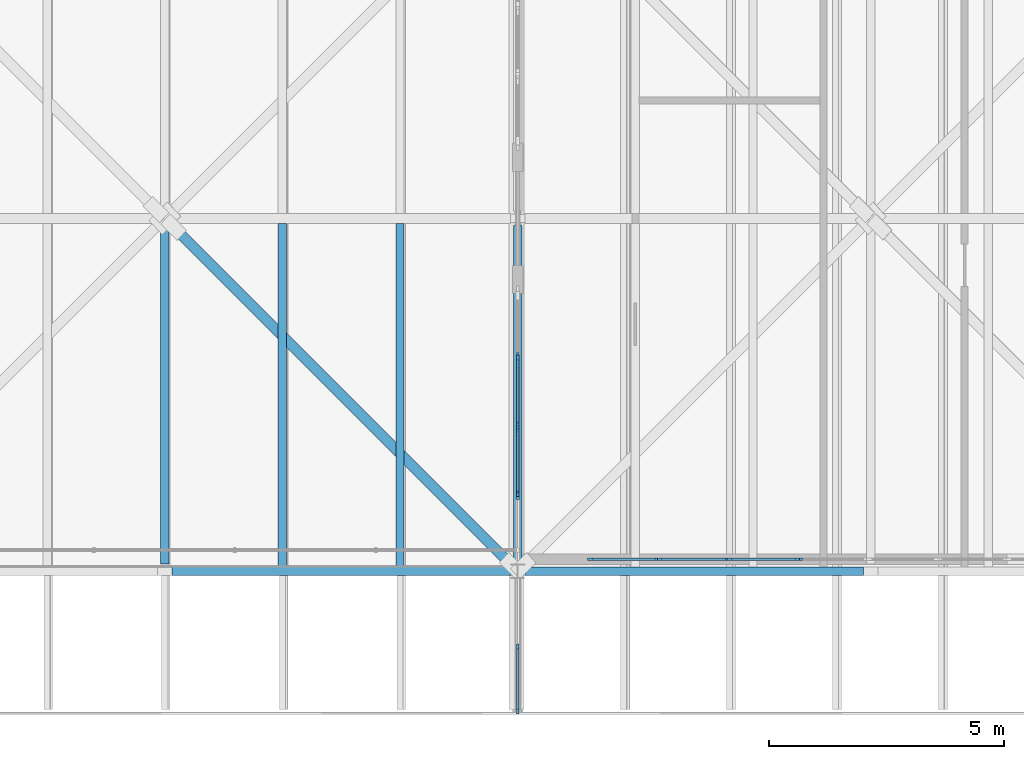
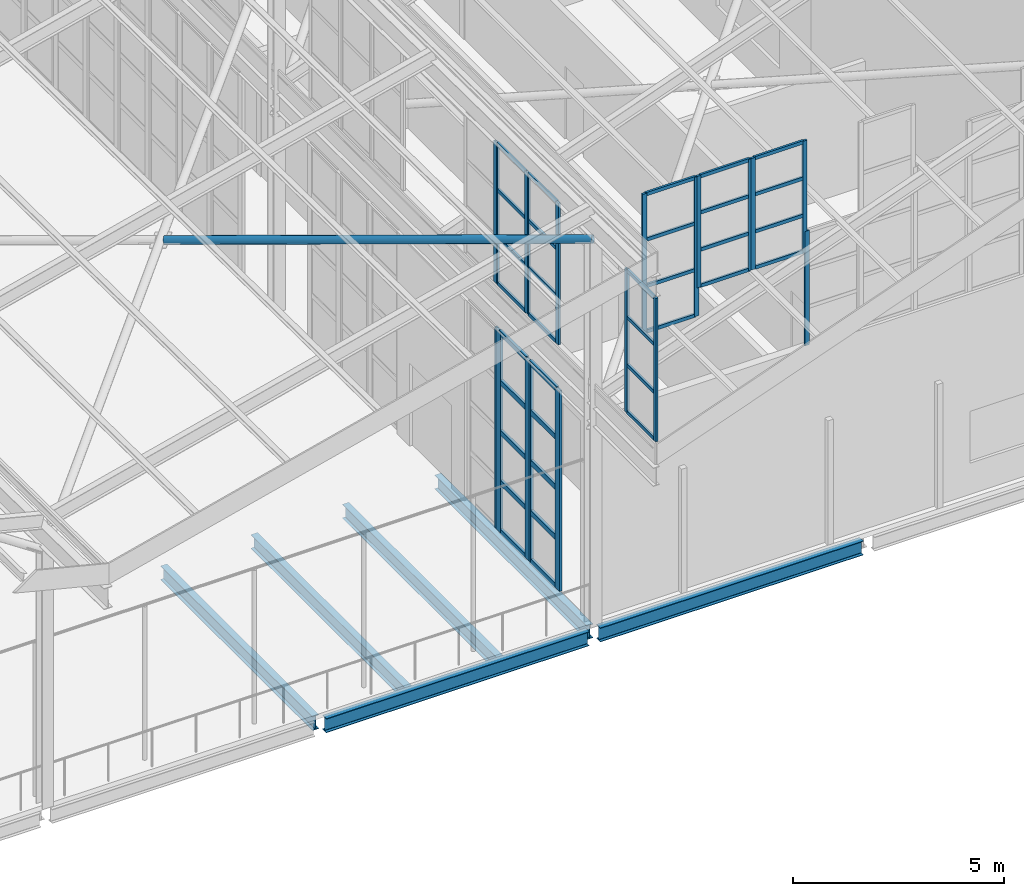
# One storey, part 28 of 483: 54 members, 6 beams, 11 elements without a shape of their own.
"""IFC4 building model written with IfcOpenShell, lengths in metres."""

from ifc_helpers import new_model, si_unit, direction, frame, origin, origin_2d, place, context, subcontext, project, spatial, rectangle, hollow_circle, i_section, extrude, material, material_profile, profile_set, type_object, element, aggregate, save


model = new_model("IFC4")

# Units and contexts
model_context = context("Model", 3, precision=1e-05, world=origin(), true_north=direction((0.0, 1.0)))
body_context = subcontext(model_context, "Body", "Model", "MODEL_VIEW")
ifc_project = project(units=[si_unit("LENGTHUNIT", "METRE"), si_unit("AREAUNIT", "SQUARE_METRE"), si_unit("VOLUMEUNIT", "CUBIC_METRE"), si_unit("PLANEANGLEUNIT", "RADIAN"), si_unit("MASSUNIT", "GRAM", prefix="KILO")], contexts=[model_context])

# Site, building, storey
site_placement = place(None, origin())
site = spatial("IfcSite", under=ifc_project, at=site_placement, CompositionType="ELEMENT")
building_placement = place(site_placement, origin())
building = spatial("IfcBuilding", under=site, at=building_placement, Name="Parallax Yard Mobility Hub", CompositionType="ELEMENT")
storey_placement = place(building_placement, frame((0.0, 0.0, 13.199951171875)))
storey = spatial("IfcBuildingStorey", under=building, at=storey_placement, Name="L04", CompositionType="ELEMENT", Elevation=13.199951171875)

# Curtain wall, members
ifc_material_1 = material(Name="Thermally broken aluminium curtain wall system", Category="aluminium")
curtain_wall_type_1 = type_object("IfcCurtainWallType", Name="Clerestory glazing run 60 x 120 frame", PredefinedType="NOTDEFINED", material=ifc_material_1)
curtain_wall_1_placement = place(storey_placement, origin())
curtain_wall_1 = element("IfcCurtainWall", 1, at=curtain_wall_1_placement, inside=storey, type_object=curtain_wall_type_1, Name="Clerestory glazing run Rooftop sports deck south bay 1 level L04", PredefinedType="NOTDEFINED")
ifc_material_2 = material(Name="Extruded aluminium", Category="aluminium")
ifc_material_profile_1 = material_profile(ifc_material_2, rectangle(XDim=0.06005859375, YDim=0.1201171875, at=origin_2d()), Name="Mullion 60 x 120")
ifc_profile_set_1 = profile_set([ifc_material_profile_1], Name="Extruded aluminium")
member_type_1 = type_object("IfcMemberType", Name="Mullion 60 x 120", PredefinedType="MULLION", material=ifc_profile_set_1)
member_1_placement = place(storey_placement, frame((129.04833984375, 7.754638671875, 7.702392578125), z_axis=(0.0, 0.0, 1.0), x_axis=(0.0, 1.0, 0.0)))
member_1 = element("IfcMember", 2, at=member_1_placement, type_object=member_type_1, Name="CW4 mullion 1", PredefinedType="MULLION", context=body_context, shape_type="SweptSolid", body=[
    extrude(rectangle(XDim=0.06005859375, YDim=0.1201171875, at=origin_2d()), origin(), (0.0, 0.0, 1.0), 4.036376953125),
])
member_2_placement = place(storey_placement, frame((130.46923828125, 7.754638671875, 7.702392578125), z_axis=(0.0, 0.0, 1.0), x_axis=(0.0, 1.0, 0.0)))
member_2 = element("IfcMember", 3, at=member_2_placement, type_object=member_type_1, Name="CW4 mullion 2", PredefinedType="MULLION", context=body_context, shape_type="SweptSolid", body=[
    extrude(rectangle(XDim=0.06005859375, YDim=0.1201171875, at=origin_2d()), origin(), (0.0, 0.0, 1.0), 4.036376953125),
])

curtain_wall_2_placement = place(storey_placement, origin())
curtain_wall_2 = element("IfcCurtainWall", 4, at=curtain_wall_2_placement, inside=storey, type_object=curtain_wall_type_1, Name="Clerestory glazing run Rooftop sports deck south bay 1 level L04", PredefinedType="NOTDEFINED")
member_3_placement = place(storey_placement, frame((130.529296875, 7.754638671875, 8.512451171875), z_axis=(0.0, 0.0, 1.0), x_axis=(0.0, 1.0, 0.0)))
member_3 = element("IfcMember", 5, at=member_3_placement, type_object=member_type_1, Name="CW4 mullion 1", PredefinedType="MULLION", context=body_context, shape_type="SweptSolid", body=[
    extrude(rectangle(XDim=0.06005859375, YDim=0.1201171875, at=origin_2d()), origin(), (0.0, 0.0, 1.0), 3.226318359375),
])
member_4_placement = place(storey_placement, frame((131.9501953125, 7.754638671875, 8.512451171875), z_axis=(0.0, 0.0, 1.0), x_axis=(0.0, 1.0, 0.0)))
member_4 = element("IfcMember", 6, at=member_4_placement, type_object=member_type_1, Name="CW4 mullion 2", PredefinedType="MULLION", context=body_context, shape_type="SweptSolid", body=[
    extrude(rectangle(XDim=0.06005859375, YDim=0.1201171875, at=origin_2d()), origin(), (0.0, 0.0, 1.0), 3.226318359375),
])

curtain_wall_3_placement = place(storey_placement, origin())
curtain_wall_3 = element("IfcCurtainWall", 7, at=curtain_wall_3_placement, inside=storey, type_object=curtain_wall_type_1, Name="Clerestory glazing run Rooftop sports deck south bay 1 level L04", PredefinedType="NOTDEFINED")
member_5_placement = place(storey_placement, frame((132.01025390625, 7.754638671875, 8.512451171875), z_axis=(0.0, 0.0, 1.0), x_axis=(0.0, 1.0, 0.0)))
member_5 = element("IfcMember", 8, at=member_5_placement, type_object=member_type_1, Name="CW4 mullion 1", PredefinedType="MULLION", context=body_context, shape_type="SweptSolid", body=[
    extrude(rectangle(XDim=0.06005859375, YDim=0.1201171875, at=origin_2d()), origin(), (0.0, 0.0, 1.0), 3.226318359375),
])
member_6_placement = place(storey_placement, frame((133.43115234375, 7.754638671875, 8.512451171875), z_axis=(0.0, 0.0, 1.0), x_axis=(0.0, 1.0, 0.0)))
member_6 = element("IfcMember", 9, at=member_6_placement, type_object=member_type_1, Name="CW4 mullion 2", PredefinedType="MULLION", context=body_context, shape_type="SweptSolid", body=[
    extrude(rectangle(XDim=0.06005859375, YDim=0.1201171875, at=origin_2d()), origin(), (0.0, 0.0, 1.0), 3.226318359375),
])

# Curtain wall, member
curtain_wall_4_placement = place(storey_placement, origin())
curtain_wall_4 = element("IfcCurtainWall", 10, at=curtain_wall_4_placement, inside=storey, type_object=curtain_wall_type_1, Name="Clerestory glazing run Rooftop sports deck south bay 1 level L04", PredefinedType="NOTDEFINED")
member_7_placement = place(storey_placement, frame((133.4912109375, 7.754638671875, 5.800048828125), z_axis=(0.0, 0.0, 1.0), x_axis=(0.0, 1.0, 0.0)))
member_7 = element("IfcMember", 11, at=member_7_placement, type_object=member_type_1, Name="CW4 mullion 1", PredefinedType="MULLION", context=body_context, shape_type="SweptSolid", body=[
    extrude(rectangle(XDim=0.06005859375, YDim=0.1201171875, at=origin_2d()), origin(), (0.0, 0.0, 1.0), 3.3154296875),
])
aggregate(curtain_wall_4, [member_7])

# Curtain wall, members
curtain_wall_5_placement = place(storey_placement, origin())
curtain_wall_5 = element("IfcCurtainWall", 12, at=curtain_wall_5_placement, inside=storey, type_object=curtain_wall_type_1, Name="Clerestory glazing run Rooftop sports deck roof step 1 bay 1 level L04", PredefinedType="NOTDEFINED")
member_8_placement = place(storey_placement, frame((127.5, 4.530029296875, 7.087890625), z_axis=(0.0, 0.0, 1.0), x_axis=(-1.0, 0.0, 0.0)))
member_8 = element("IfcMember", 13, at=member_8_placement, type_object=member_type_1, Name="CW4 mullion 1", PredefinedType="MULLION", context=body_context, shape_type="SweptSolid", body=[
    extrude(rectangle(XDim=0.06005859375, YDim=0.1201171875, at=origin_2d()), origin(), (0.0, 0.0, 1.0), 4.147216796875),
])
member_9_placement = place(storey_placement, frame((127.5, 5.893310546875, 7.087890625), z_axis=(0.0, 0.0, 1.0), x_axis=(-1.0, 0.0, 0.0)))
member_9 = element("IfcMember", 14, at=member_9_placement, type_object=member_type_1, Name="CW4 mullion 2", PredefinedType="MULLION", context=body_context, shape_type="SweptSolid", body=[
    extrude(rectangle(XDim=0.06005859375, YDim=0.1201171875, at=origin_2d()), origin(), (0.0, 0.0, 1.0), 4.147216796875),
])

curtain_wall_6_placement = place(storey_placement, origin())
curtain_wall_6 = element("IfcCurtainWall", 15, at=curtain_wall_6_placement, inside=storey, type_object=curtain_wall_type_1, Name="Clerestory glazing run Rooftop sports deck roof step 1 bay 2 level L04", PredefinedType="NOTDEFINED")
member_10_placement = place(storey_placement, frame((127.5, 9.15283203125, 7.087890625), z_axis=(0.0, 0.0, 1.0), x_axis=(-1.0, 0.0, 0.0)))
member_10 = element("IfcMember", 16, at=member_10_placement, type_object=member_type_1, Name="CW4 mullion 1", PredefinedType="MULLION", context=body_context, shape_type="SweptSolid", body=[
    extrude(rectangle(XDim=0.06005859375, YDim=0.1201171875, at=origin_2d()), origin(), (0.0, 0.0, 1.0), 4.10009765625),
])
member_11_placement = place(storey_placement, frame((127.5, 10.56201171875, 7.087890625), z_axis=(0.0, 0.0, 1.0), x_axis=(-1.0, 0.0, 0.0)))
member_11 = element("IfcMember", 17, at=member_11_placement, type_object=member_type_1, Name="CW4 mullion 2", PredefinedType="MULLION", context=body_context, shape_type="SweptSolid", body=[
    extrude(rectangle(XDim=0.06005859375, YDim=0.1201171875, at=origin_2d()), origin(), (0.0, 0.0, 1.0), 4.10009765625),
])

curtain_wall_7_placement = place(storey_placement, origin())
curtain_wall_7 = element("IfcCurtainWall", 18, at=curtain_wall_7_placement, inside=storey, type_object=curtain_wall_type_1, Name="Clerestory glazing run Rooftop sports deck roof step 1 bay 2 level L04", PredefinedType="NOTDEFINED")
member_12_placement = place(storey_placement, frame((127.5, 10.6220703125, 7.087890625), z_axis=(0.0, 0.0, 1.0), x_axis=(-1.0, 0.0, 0.0)))
member_12 = element("IfcMember", 19, at=member_12_placement, type_object=member_type_1, Name="CW4 mullion 1", PredefinedType="MULLION", context=body_context, shape_type="SweptSolid", body=[
    extrude(rectangle(XDim=0.06005859375, YDim=0.1201171875, at=origin_2d()), origin(), (0.0, 0.0, 1.0), 4.086181640625),
])
member_13_placement = place(storey_placement, frame((127.5, 12.031494140625, 7.087890625), z_axis=(0.0, 0.0, 1.0), x_axis=(-1.0, 0.0, 0.0)))
member_13 = element("IfcMember", 20, at=member_13_placement, type_object=member_type_1, Name="CW4 mullion 2", PredefinedType="MULLION", context=body_context, shape_type="SweptSolid", body=[
    extrude(rectangle(XDim=0.06005859375, YDim=0.1201171875, at=origin_2d()), origin(), (0.0, 0.0, 1.0), 4.086181640625),
])

# Curtain wall, member
curtain_wall_8_placement = place(storey_placement, origin())
curtain_wall_8 = element("IfcCurtainWall", 21, at=curtain_wall_8_placement, inside=storey, type_object=curtain_wall_type_1, Name="Clerestory glazing run Rooftop sports deck roof step 1 bay 2 level L04", PredefinedType="NOTDEFINED")
member_14_placement = place(storey_placement, frame((127.5, 12.09130859375, 7.087890625), z_axis=(0.0, 0.0, 1.0), x_axis=(-1.0, 0.0, 0.0)))
member_14 = element("IfcMember", 22, at=member_14_placement, type_object=member_type_1, Name="CW4 mullion 1", PredefinedType="MULLION", context=body_context, shape_type="SweptSolid", body=[
    extrude(rectangle(XDim=0.06005859375, YDim=0.1201171875, at=origin_2d()), origin(), (0.0, 0.0, 1.0), 4.071044921875),
])
aggregate(curtain_wall_8, [member_14])

# Curtain wall, members
curtain_wall_type_2 = type_object("IfcCurtainWallType", Name="Tall curtain wall run 75 x 200 frame", PredefinedType="NOTDEFINED", material=ifc_material_1)
curtain_wall_9_placement = place(storey_placement, origin())
curtain_wall_9 = element("IfcCurtainWall", 23, at=curtain_wall_9_placement, inside=storey, type_object=curtain_wall_type_2, Name="Curtain wall run Rooftop sports deck west bay 1 level L04", PredefinedType="NOTDEFINED")
ifc_material_profile_2 = material_profile(ifc_material_2, rectangle(XDim=0.074951171875, YDim=0.199951171875, at=origin_2d()), Name="Mullion 75 x 200")
ifc_profile_set_2 = profile_set([ifc_material_profile_2], Name="Extruded aluminium")
member_type_2 = type_object("IfcMemberType", Name="Mullion 75 x 200", PredefinedType="MULLION", material=ifc_profile_set_2)
member_15_placement = place(storey_placement, frame((127.5, 9.127685546875, 0.0), z_axis=(0.0, 0.0, 1.0), x_axis=(-1.0, 0.0, 0.0)))
member_15 = element("IfcMember", 24, at=member_15_placement, type_object=member_type_2, Name="CW3 mullion 1", PredefinedType="MULLION", context=body_context, shape_type="SweptSolid", body=[
    extrude(rectangle(XDim=0.074951171875, YDim=0.199951171875, at=origin_2d()), origin(), (0.0, 0.0, 1.0), 5.800048828125),
])
member_16_placement = place(storey_placement, frame((127.5, 10.4892578125, 0.0), z_axis=(0.0, 0.0, 1.0), x_axis=(-1.0, 0.0, 0.0)))
member_16 = element("IfcMember", 25, at=member_16_placement, type_object=member_type_2, Name="CW3 mullion 2", PredefinedType="MULLION", context=body_context, shape_type="SweptSolid", body=[
    extrude(rectangle(XDim=0.074951171875, YDim=0.199951171875, at=origin_2d()), origin(), (0.0, 0.0, 1.0), 5.800048828125),
])

curtain_wall_10_placement = place(storey_placement, origin())
curtain_wall_10 = element("IfcCurtainWall", 26, at=curtain_wall_10_placement, inside=storey, type_object=curtain_wall_type_2, Name="Curtain wall run Rooftop sports deck west bay 1 level L04", PredefinedType="NOTDEFINED")
member_17_placement = place(storey_placement, frame((127.5, 10.564208984375, 0.0), z_axis=(0.0, 0.0, 1.0), x_axis=(-1.0, 0.0, 0.0)))
member_17 = element("IfcMember", 27, at=member_17_placement, type_object=member_type_2, Name="CW3 mullion 1", PredefinedType="MULLION", context=body_context, shape_type="SweptSolid", body=[
    extrude(rectangle(XDim=0.074951171875, YDim=0.199951171875, at=origin_2d()), origin(), (0.0, 0.0, 1.0), 5.800048828125),
])
member_18_placement = place(storey_placement, frame((127.5, 11.92578125, 0.0), z_axis=(0.0, 0.0, 1.0), x_axis=(-1.0, 0.0, 0.0)))
member_18 = element("IfcMember", 28, at=member_18_placement, type_object=member_type_2, Name="CW3 mullion 2", PredefinedType="MULLION", context=body_context, shape_type="SweptSolid", body=[
    extrude(rectangle(XDim=0.074951171875, YDim=0.199951171875, at=origin_2d()), origin(), (0.0, 0.0, 1.0), 5.800048828125),
])

# Curtain wall, member
curtain_wall_11_placement = place(storey_placement, origin())
curtain_wall_11 = element("IfcCurtainWall", 29, at=curtain_wall_11_placement, inside=storey, type_object=curtain_wall_type_2, Name="Curtain wall run Rooftop sports deck west bay 1 level L04", PredefinedType="NOTDEFINED")
member_19_placement = place(storey_placement, frame((127.5, 12.0009765625, 0.0), z_axis=(0.0, 0.0, 1.0), x_axis=(-1.0, 0.0, 0.0)))
member_19 = element("IfcMember", 30, at=member_19_placement, type_object=member_type_2, Name="CW3 mullion 1", PredefinedType="MULLION", context=body_context, shape_type="SweptSolid", body=[
    extrude(rectangle(XDim=0.074951171875, YDim=0.199951171875, at=origin_2d()), origin(), (0.0, 0.0, 1.0), 5.800048828125),
])
aggregate(curtain_wall_11, [member_19])

# Member
ifc_material_3 = material(Name="Steel ASTM A500 Gr C", Category="steel")
ifc_material_profile_3 = material_profile(ifc_material_3, hollow_circle(Radius=0.109619140625, WallThickness=0.008056640625, at=origin_2d()), Name="HSS219.1x8.0")
ifc_profile_set_3 = profile_set([ifc_material_profile_3], Name="Steel ASTM A500 Gr C")
member_type_3 = type_object("IfcMemberType", Name="Roof brace HSS219.1x8.0", PredefinedType="BRACE", material=ifc_profile_set_3)
member_20_placement = place(storey_placement, frame((120.0693359375, 14.9306640625, 9.178466796875), z_axis=(0.695452358349, -0.695452358349, 0.180809387292), x_axis=(0.707106781187, 0.707106781187, 0.0)))
element("IfcMember", 31, at=member_20_placement, inside=storey, type_object=member_type_3, Name="Roof X brace east wing bay 1 2 (half 2)", PredefinedType="BRACE", context=body_context, shape_type="SweptSolid", body=[
    extrude(hollow_circle(Radius=0.109619140625, WallThickness=0.008056640625, at=origin_2d()), origin(), (0.0, 0.0, 1.0), 10.6845703125),
])

ifc_material_profile_4 = material_profile(ifc_material_2, rectangle(XDim=0.06005859375, YDim=0.10009765625, at=origin_2d()), Name="Transom 60 x 100")
ifc_profile_set_4 = profile_set([ifc_material_profile_4], Name="Extruded aluminium")
member_type_4 = type_object("IfcMemberType", Name="Transom 60 x 100", PredefinedType="USERDEFINED", material=ifc_profile_set_4)
member_21_placement = place(storey_placement, frame((129.078369140625, 7.754638671875, 7.732421875), z_axis=(1.0, 0.0, 0.0), x_axis=(0.0, 1.0, 0.0)))
member_21 = element("IfcMember", 32, at=member_21_placement, type_object=member_type_4, Name="CW4 transom 1.1", ObjectType="TRANSOM", PredefinedType="USERDEFINED", context=body_context, shape_type="SweptSolid", body=[
    extrude(rectangle(XDim=0.06005859375, YDim=0.10009765625, at=origin_2d()), origin(), (0.0, 0.0, 1.0), 1.36083984375),
])

member_22_placement = place(storey_placement, frame((129.078369140625, 7.754638671875, 9.0478515625), z_axis=(1.0, 0.0, 0.0), x_axis=(0.0, 1.0, 0.0)))
member_22 = element("IfcMember", 33, at=member_22_placement, type_object=member_type_4, Name="CW4 transom 1.2", ObjectType="TRANSOM", PredefinedType="USERDEFINED", context=body_context, shape_type="SweptSolid", body=[
    extrude(rectangle(XDim=0.06005859375, YDim=0.10009765625, at=origin_2d()), origin(), (0.0, 0.0, 1.0), 1.36083984375),
])

member_23_placement = place(storey_placement, frame((129.078369140625, 7.754638671875, 10.393310546875), z_axis=(1.0, 0.0, 0.0), x_axis=(0.0, 1.0, 0.0)))
member_23 = element("IfcMember", 34, at=member_23_placement, type_object=member_type_4, Name="CW4 transom 1.3", ObjectType="TRANSOM", PredefinedType="USERDEFINED", context=body_context, shape_type="SweptSolid", body=[
    extrude(rectangle(XDim=0.06005859375, YDim=0.10009765625, at=origin_2d()), origin(), (0.0, 0.0, 1.0), 1.36083984375),
])

member_24_placement = place(storey_placement, frame((129.078369140625, 7.754638671875, 11.708740234375), z_axis=(1.0, 0.0, 0.0), x_axis=(0.0, 1.0, 0.0)))
member_24 = element("IfcMember", 35, at=member_24_placement, type_object=member_type_4, Name="CW4 transom 1.4", ObjectType="TRANSOM", PredefinedType="USERDEFINED", context=body_context, shape_type="SweptSolid", body=[
    extrude(rectangle(XDim=0.06005859375, YDim=0.10009765625, at=origin_2d()), origin(), (0.0, 0.0, 1.0), 1.36083984375),
])

aggregate(curtain_wall_1, [member_1, member_2, member_21, member_22, member_23, member_24])

member_25_placement = place(storey_placement, frame((130.559326171875, 7.754638671875, 8.54248046875), z_axis=(1.0, 0.0, 0.0), x_axis=(0.0, 1.0, 0.0)))
member_25 = element("IfcMember", 36, at=member_25_placement, type_object=member_type_4, Name="CW4 transom 1.1", ObjectType="TRANSOM", PredefinedType="USERDEFINED", context=body_context, shape_type="SweptSolid", body=[
    extrude(rectangle(XDim=0.06005859375, YDim=0.10009765625, at=origin_2d()), origin(), (0.0, 0.0, 1.0), 1.36083984375),
])

member_26_placement = place(storey_placement, frame((130.559326171875, 7.754638671875, 9.587890625), z_axis=(1.0, 0.0, 0.0), x_axis=(0.0, 1.0, 0.0)))
member_26 = element("IfcMember", 37, at=member_26_placement, type_object=member_type_4, Name="CW4 transom 1.2", ObjectType="TRANSOM", PredefinedType="USERDEFINED", context=body_context, shape_type="SweptSolid", body=[
    extrude(rectangle(XDim=0.06005859375, YDim=0.10009765625, at=origin_2d()), origin(), (0.0, 0.0, 1.0), 1.36083984375),
])

member_27_placement = place(storey_placement, frame((130.559326171875, 7.754638671875, 10.663330078125), z_axis=(1.0, 0.0, 0.0), x_axis=(0.0, 1.0, 0.0)))
member_27 = element("IfcMember", 38, at=member_27_placement, type_object=member_type_4, Name="CW4 transom 1.3", ObjectType="TRANSOM", PredefinedType="USERDEFINED", context=body_context, shape_type="SweptSolid", body=[
    extrude(rectangle(XDim=0.06005859375, YDim=0.10009765625, at=origin_2d()), origin(), (0.0, 0.0, 1.0), 1.36083984375),
])

member_28_placement = place(storey_placement, frame((130.559326171875, 7.754638671875, 11.708740234375), z_axis=(1.0, 0.0, 0.0), x_axis=(0.0, 1.0, 0.0)))
member_28 = element("IfcMember", 39, at=member_28_placement, type_object=member_type_4, Name="CW4 transom 1.4", ObjectType="TRANSOM", PredefinedType="USERDEFINED", context=body_context, shape_type="SweptSolid", body=[
    extrude(rectangle(XDim=0.06005859375, YDim=0.10009765625, at=origin_2d()), origin(), (0.0, 0.0, 1.0), 1.36083984375),
])

aggregate(curtain_wall_2, [member_3, member_4, member_25, member_26, member_27, member_28])

member_29_placement = place(storey_placement, frame((132.040283203125, 7.754638671875, 8.54248046875), z_axis=(1.0, 0.0, 0.0), x_axis=(0.0, 1.0, 0.0)))
member_29 = element("IfcMember", 40, at=member_29_placement, type_object=member_type_4, Name="CW4 transom 1.1", ObjectType="TRANSOM", PredefinedType="USERDEFINED", context=body_context, shape_type="SweptSolid", body=[
    extrude(rectangle(XDim=0.06005859375, YDim=0.10009765625, at=origin_2d()), origin(), (0.0, 0.0, 1.0), 1.36083984375),
])

member_30_placement = place(storey_placement, frame((132.040283203125, 7.754638671875, 9.587890625), z_axis=(1.0, 0.0, 0.0), x_axis=(0.0, 1.0, 0.0)))
member_30 = element("IfcMember", 41, at=member_30_placement, type_object=member_type_4, Name="CW4 transom 1.2", ObjectType="TRANSOM", PredefinedType="USERDEFINED", context=body_context, shape_type="SweptSolid", body=[
    extrude(rectangle(XDim=0.06005859375, YDim=0.10009765625, at=origin_2d()), origin(), (0.0, 0.0, 1.0), 1.36083984375),
])

member_31_placement = place(storey_placement, frame((132.040283203125, 7.754638671875, 10.663330078125), z_axis=(1.0, 0.0, 0.0), x_axis=(0.0, 1.0, 0.0)))
member_31 = element("IfcMember", 42, at=member_31_placement, type_object=member_type_4, Name="CW4 transom 1.3", ObjectType="TRANSOM", PredefinedType="USERDEFINED", context=body_context, shape_type="SweptSolid", body=[
    extrude(rectangle(XDim=0.06005859375, YDim=0.10009765625, at=origin_2d()), origin(), (0.0, 0.0, 1.0), 1.36083984375),
])

member_32_placement = place(storey_placement, frame((132.040283203125, 7.754638671875, 11.708740234375), z_axis=(1.0, 0.0, 0.0), x_axis=(0.0, 1.0, 0.0)))
member_32 = element("IfcMember", 43, at=member_32_placement, type_object=member_type_4, Name="CW4 transom 1.4", ObjectType="TRANSOM", PredefinedType="USERDEFINED", context=body_context, shape_type="SweptSolid", body=[
    extrude(rectangle(XDim=0.06005859375, YDim=0.10009765625, at=origin_2d()), origin(), (0.0, 0.0, 1.0), 1.36083984375),
])

aggregate(curtain_wall_3, [member_5, member_6, member_29, member_30, member_31, member_32])

member_33_placement = place(storey_placement, frame((127.5, 4.56005859375, 7.117919921875), z_axis=(0.0, 1.0, 0.0), x_axis=(-1.0, 0.0, 0.0)))
member_33 = element("IfcMember", 44, at=member_33_placement, type_object=member_type_4, Name="CW4 transom 1.1", ObjectType="TRANSOM", PredefinedType="USERDEFINED", context=body_context, shape_type="SweptSolid", body=[
    extrude(rectangle(XDim=0.06005859375, YDim=0.10009765625, at=origin_2d()), origin(), (0.0, 0.0, 1.0), 1.30322265625),
])

member_34_placement = place(storey_placement, frame((127.5, 4.56005859375, 8.47021484375), z_axis=(0.0, 1.0, 0.0), x_axis=(-1.0, 0.0, 0.0)))
member_34 = element("IfcMember", 45, at=member_34_placement, type_object=member_type_4, Name="CW4 transom 1.2", ObjectType="TRANSOM", PredefinedType="USERDEFINED", context=body_context, shape_type="SweptSolid", body=[
    extrude(rectangle(XDim=0.06005859375, YDim=0.10009765625, at=origin_2d()), origin(), (0.0, 0.0, 1.0), 1.30322265625),
])

member_35_placement = place(storey_placement, frame((127.5, 4.56005859375, 9.8525390625), z_axis=(0.0, 1.0, 0.0), x_axis=(-1.0, 0.0, 0.0)))
member_35 = element("IfcMember", 46, at=member_35_placement, type_object=member_type_4, Name="CW4 transom 1.3", ObjectType="TRANSOM", PredefinedType="USERDEFINED", context=body_context, shape_type="SweptSolid", body=[
    extrude(rectangle(XDim=0.06005859375, YDim=0.10009765625, at=origin_2d()), origin(), (0.0, 0.0, 1.0), 1.30322265625),
])

member_36_placement = place(storey_placement, frame((127.5, 4.56005859375, 11.205078125), z_axis=(0.0, 1.0, 0.0), x_axis=(-1.0, 0.0, 0.0)))
member_36 = element("IfcMember", 47, at=member_36_placement, type_object=member_type_4, Name="CW4 transom 1.4", ObjectType="TRANSOM", PredefinedType="USERDEFINED", context=body_context, shape_type="SweptSolid", body=[
    extrude(rectangle(XDim=0.06005859375, YDim=0.10009765625, at=origin_2d()), origin(), (0.0, 0.0, 1.0), 1.30322265625),
])

aggregate(curtain_wall_5, [member_8, member_9, member_33, member_34, member_35, member_36])

member_37_placement = place(storey_placement, frame((127.5, 9.182861328125, 7.117919921875), z_axis=(0.0, 1.0, 0.0), x_axis=(-1.0, 0.0, 0.0)))
member_37 = element("IfcMember", 48, at=member_37_placement, type_object=member_type_4, Name="CW4 transom 1.1", ObjectType="TRANSOM", PredefinedType="USERDEFINED", context=body_context, shape_type="SweptSolid", body=[
    extrude(rectangle(XDim=0.06005859375, YDim=0.10009765625, at=origin_2d()), origin(), (0.0, 0.0, 1.0), 1.34912109375),
])

member_38_placement = place(storey_placement, frame((127.5, 9.182861328125, 8.45458984375), z_axis=(0.0, 1.0, 0.0), x_axis=(-1.0, 0.0, 0.0)))
member_38 = element("IfcMember", 49, at=member_38_placement, type_object=member_type_4, Name="CW4 transom 1.2", ObjectType="TRANSOM", PredefinedType="USERDEFINED", context=body_context, shape_type="SweptSolid", body=[
    extrude(rectangle(XDim=0.06005859375, YDim=0.10009765625, at=origin_2d()), origin(), (0.0, 0.0, 1.0), 1.34912109375),
])

member_39_placement = place(storey_placement, frame((127.5, 9.182861328125, 9.8212890625), z_axis=(0.0, 1.0, 0.0), x_axis=(-1.0, 0.0, 0.0)))
member_39 = element("IfcMember", 50, at=member_39_placement, type_object=member_type_4, Name="CW4 transom 1.3", ObjectType="TRANSOM", PredefinedType="USERDEFINED", context=body_context, shape_type="SweptSolid", body=[
    extrude(rectangle(XDim=0.06005859375, YDim=0.10009765625, at=origin_2d()), origin(), (0.0, 0.0, 1.0), 1.34912109375),
])

member_40_placement = place(storey_placement, frame((127.5, 9.182861328125, 11.157958984375), z_axis=(0.0, 1.0, 0.0), x_axis=(-1.0, 0.0, 0.0)))
member_40 = element("IfcMember", 51, at=member_40_placement, type_object=member_type_4, Name="CW4 transom 1.4", ObjectType="TRANSOM", PredefinedType="USERDEFINED", context=body_context, shape_type="SweptSolid", body=[
    extrude(rectangle(XDim=0.06005859375, YDim=0.10009765625, at=origin_2d()), origin(), (0.0, 0.0, 1.0), 1.34912109375),
])

aggregate(curtain_wall_6, [member_10, member_11, member_37, member_38, member_39, member_40])

member_41_placement = place(storey_placement, frame((127.5, 10.652099609375, 7.117919921875), z_axis=(0.0, 1.0, 0.0), x_axis=(-1.0, 0.0, 0.0)))
member_41 = element("IfcMember", 52, at=member_41_placement, type_object=member_type_4, Name="CW4 transom 1.1", ObjectType="TRANSOM", PredefinedType="USERDEFINED", context=body_context, shape_type="SweptSolid", body=[
    extrude(rectangle(XDim=0.06005859375, YDim=0.10009765625, at=origin_2d()), origin(), (0.0, 0.0, 1.0), 1.349365234375),
])

member_42_placement = place(storey_placement, frame((127.5, 10.652099609375, 8.449951171875), z_axis=(0.0, 1.0, 0.0), x_axis=(-1.0, 0.0, 0.0)))
member_42 = element("IfcMember", 53, at=member_42_placement, type_object=member_type_4, Name="CW4 transom 1.2", ObjectType="TRANSOM", PredefinedType="USERDEFINED", context=body_context, shape_type="SweptSolid", body=[
    extrude(rectangle(XDim=0.06005859375, YDim=0.10009765625, at=origin_2d()), origin(), (0.0, 0.0, 1.0), 1.349365234375),
])

member_43_placement = place(storey_placement, frame((127.5, 10.652099609375, 9.81201171875), z_axis=(0.0, 1.0, 0.0), x_axis=(-1.0, 0.0, 0.0)))
member_43 = element("IfcMember", 54, at=member_43_placement, type_object=member_type_4, Name="CW4 transom 1.3", ObjectType="TRANSOM", PredefinedType="USERDEFINED", context=body_context, shape_type="SweptSolid", body=[
    extrude(rectangle(XDim=0.06005859375, YDim=0.10009765625, at=origin_2d()), origin(), (0.0, 0.0, 1.0), 1.349365234375),
])

member_44_placement = place(storey_placement, frame((127.5, 10.652099609375, 11.14404296875), z_axis=(0.0, 1.0, 0.0), x_axis=(-1.0, 0.0, 0.0)))
member_44 = element("IfcMember", 55, at=member_44_placement, type_object=member_type_4, Name="CW4 transom 1.4", ObjectType="TRANSOM", PredefinedType="USERDEFINED", context=body_context, shape_type="SweptSolid", body=[
    extrude(rectangle(XDim=0.06005859375, YDim=0.10009765625, at=origin_2d()), origin(), (0.0, 0.0, 1.0), 1.349365234375),
])

aggregate(curtain_wall_7, [member_12, member_13, member_41, member_42, member_43, member_44])

ifc_material_profile_5 = material_profile(ifc_material_2, rectangle(XDim=0.074951171875, YDim=0.14990234375, at=origin_2d()), Name="Transom 75 x 150")
ifc_profile_set_5 = profile_set([ifc_material_profile_5], Name="Extruded aluminium")
member_type_5 = type_object("IfcMemberType", Name="Transom 75 x 150", PredefinedType="USERDEFINED", material=ifc_profile_set_5)
member_45_placement = place(storey_placement, frame((127.5, 9.1650390625, 0.03759765625), z_axis=(0.0, 1.0, 0.0), x_axis=(-1.0, 0.0, 0.0)))
member_45 = element("IfcMember", 56, at=member_45_placement, type_object=member_type_5, Name="CW3 transom 1.1", ObjectType="TRANSOM", PredefinedType="USERDEFINED", context=body_context, shape_type="SweptSolid", body=[
    extrude(rectangle(XDim=0.074951171875, YDim=0.14990234375, at=origin_2d()), origin(), (0.0, 0.0, 1.0), 1.286865234375),
])

member_46_placement = place(storey_placement, frame((127.5, 9.1650390625, 1.449951171875), z_axis=(0.0, 1.0, 0.0), x_axis=(-1.0, 0.0, 0.0)))
member_46 = element("IfcMember", 57, at=member_46_placement, type_object=member_type_5, Name="CW3 transom 1.2", ObjectType="TRANSOM", PredefinedType="USERDEFINED", context=body_context, shape_type="SweptSolid", body=[
    extrude(rectangle(XDim=0.074951171875, YDim=0.14990234375, at=origin_2d()), origin(), (0.0, 0.0, 1.0), 1.286865234375),
])

member_47_placement = place(storey_placement, frame((127.5, 9.1650390625, 2.900146484375), z_axis=(0.0, 1.0, 0.0), x_axis=(-1.0, 0.0, 0.0)))
member_47 = element("IfcMember", 58, at=member_47_placement, type_object=member_type_5, Name="CW3 transom 1.3", ObjectType="TRANSOM", PredefinedType="USERDEFINED", context=body_context, shape_type="SweptSolid", body=[
    extrude(rectangle(XDim=0.074951171875, YDim=0.14990234375, at=origin_2d()), origin(), (0.0, 0.0, 1.0), 1.286865234375),
])

member_48_placement = place(storey_placement, frame((127.5, 9.1650390625, 4.35009765625), z_axis=(0.0, 1.0, 0.0), x_axis=(-1.0, 0.0, 0.0)))
member_48 = element("IfcMember", 59, at=member_48_placement, type_object=member_type_5, Name="CW3 transom 1.4", ObjectType="TRANSOM", PredefinedType="USERDEFINED", context=body_context, shape_type="SweptSolid", body=[
    extrude(rectangle(XDim=0.074951171875, YDim=0.14990234375, at=origin_2d()), origin(), (0.0, 0.0, 1.0), 1.286865234375),
])

member_49_placement = place(storey_placement, frame((127.5, 9.1650390625, 5.762451171875), z_axis=(0.0, 1.0, 0.0), x_axis=(-1.0, 0.0, 0.0)))
member_49 = element("IfcMember", 60, at=member_49_placement, type_object=member_type_5, Name="CW3 transom 1.5", ObjectType="TRANSOM", PredefinedType="USERDEFINED", context=body_context, shape_type="SweptSolid", body=[
    extrude(rectangle(XDim=0.074951171875, YDim=0.14990234375, at=origin_2d()), origin(), (0.0, 0.0, 1.0), 1.286865234375),
])

aggregate(curtain_wall_9, [member_15, member_16, member_45, member_46, member_47, member_48, member_49])

member_50_placement = place(storey_placement, frame((127.5, 10.601806640625, 0.03759765625), z_axis=(0.0, 1.0, 0.0), x_axis=(-1.0, 0.0, 0.0)))
member_50 = element("IfcMember", 61, at=member_50_placement, type_object=member_type_5, Name="CW3 transom 1.1", ObjectType="TRANSOM", PredefinedType="USERDEFINED", context=body_context, shape_type="SweptSolid", body=[
    extrude(rectangle(XDim=0.074951171875, YDim=0.14990234375, at=origin_2d()), origin(), (0.0, 0.0, 1.0), 1.28662109375),
])

member_51_placement = place(storey_placement, frame((127.5, 10.601806640625, 1.449951171875), z_axis=(0.0, 1.0, 0.0), x_axis=(-1.0, 0.0, 0.0)))
member_51 = element("IfcMember", 62, at=member_51_placement, type_object=member_type_5, Name="CW3 transom 1.2", ObjectType="TRANSOM", PredefinedType="USERDEFINED", context=body_context, shape_type="SweptSolid", body=[
    extrude(rectangle(XDim=0.074951171875, YDim=0.14990234375, at=origin_2d()), origin(), (0.0, 0.0, 1.0), 1.28662109375),
])

member_52_placement = place(storey_placement, frame((127.5, 10.601806640625, 2.900146484375), z_axis=(0.0, 1.0, 0.0), x_axis=(-1.0, 0.0, 0.0)))
member_52 = element("IfcMember", 63, at=member_52_placement, type_object=member_type_5, Name="CW3 transom 1.3", ObjectType="TRANSOM", PredefinedType="USERDEFINED", context=body_context, shape_type="SweptSolid", body=[
    extrude(rectangle(XDim=0.074951171875, YDim=0.14990234375, at=origin_2d()), origin(), (0.0, 0.0, 1.0), 1.28662109375),
])

member_53_placement = place(storey_placement, frame((127.5, 10.601806640625, 4.35009765625), z_axis=(0.0, 1.0, 0.0), x_axis=(-1.0, 0.0, 0.0)))
member_53 = element("IfcMember", 64, at=member_53_placement, type_object=member_type_5, Name="CW3 transom 1.4", ObjectType="TRANSOM", PredefinedType="USERDEFINED", context=body_context, shape_type="SweptSolid", body=[
    extrude(rectangle(XDim=0.074951171875, YDim=0.14990234375, at=origin_2d()), origin(), (0.0, 0.0, 1.0), 1.28662109375),
])

member_54_placement = place(storey_placement, frame((127.5, 10.601806640625, 5.762451171875), z_axis=(0.0, 1.0, 0.0), x_axis=(-1.0, 0.0, 0.0)))
member_54 = element("IfcMember", 65, at=member_54_placement, type_object=member_type_5, Name="CW3 transom 1.5", ObjectType="TRANSOM", PredefinedType="USERDEFINED", context=body_context, shape_type="SweptSolid", body=[
    extrude(rectangle(XDim=0.074951171875, YDim=0.14990234375, at=origin_2d()), origin(), (0.0, 0.0, 1.0), 1.28662109375),
])

aggregate(curtain_wall_10, [member_17, member_18, member_50, member_51, member_52, member_53, member_54])

# Beams
ifc_material_4 = material(Name="Steel ASTM A992", Category="steel")
ifc_material_profile_6 = material_profile(ifc_material_4, i_section(OverallWidth=0.177978515625, OverallDepth=0.406005859375, WebThickness=0.0078125, FlangeThickness=0.0126953125, FilletRadius=0.01025390625, at=origin_2d()), Name="W410x60")
ifc_profile_set_6 = profile_set([ifc_material_profile_6], Name="Steel ASTM A992")
beam_type_1 = type_object("IfcBeamType", Name="W410x60 secondary beam", PredefinedType="JOIST", material=ifc_profile_set_6)
for number, where, z_axis, x_axis, name in (
    (66, (122.5, 7.589599609375, -0.343017578125), (0.0, 1.0, 0.0), (-1.0, 0.0, 0.0), "Secondary beam B1 level L04, 2.5 m east of line 17 of mobility service centre and workshops, span 1"),
    (67, (125.0, 7.589599609375, -0.343017578125), (0.0, 1.0, 0.0), (-1.0, 0.0, 0.0), "Secondary beam B1 level L04, 5 m east of line 17 of mobility service centre and workshops, span 1"),
):
    element("IfcBeam", number, at=place(storey_placement, frame(where, z_axis=z_axis, x_axis=x_axis)), inside=storey, type_object=beam_type_1, Name=name, PredefinedType="JOIST", context=body_context, shape_type="SweptSolid", body=[
        extrude(i_section(OverallWidth=0.177978515625, OverallDepth=0.406005859375, WebThickness=0.0078125, FlangeThickness=0.0126953125, FilletRadius=0.01025390625, at=origin_2d()), origin(), (0.0, 0.0, 1.0), 7.305908203125),
    ])
ifc_material_profile_7 = material_profile(ifc_material_4, i_section(OverallWidth=0.178955078125, OverallDepth=0.408935546875, WebThickness=0.0087890625, FlangeThickness=0.014404296875, FilletRadius=0.01025390625, at=origin_2d()), Name="W410x67")
ifc_profile_set_7 = profile_set([ifc_material_profile_7], Name="Steel ASTM A992")
beam_type_2 = type_object("IfcBeamType", Name="W410x67 edge beam", PredefinedType="SPANDREL", material=ifc_profile_set_7)
for number, where, z_axis, x_axis, name in (
    (68, (120.152587890625, 7.5, -0.344482421875), (1.0, 0.0, 0.0), (0.0, 1.0, 0.0), "Edge beam SB3 level L04, line B of mobility service centre and workshops, span 4"),
    (69, (127.652587890625, 7.5, -0.344482421875), (1.0, 0.0, 0.0), (0.0, 1.0, 0.0), "Edge beam SB3 level L04, line B of mobility service centre and workshops, span 5"),
):
    element("IfcBeam", number, at=place(storey_placement, frame(where, z_axis=z_axis, x_axis=x_axis)), inside=storey, type_object=beam_type_2, Name=name, PredefinedType="SPANDREL", context=body_context, shape_type="SweptSolid", body=[
        extrude(i_section(OverallWidth=0.178955078125, OverallDepth=0.408935546875, WebThickness=0.0087890625, FlangeThickness=0.014404296875, FilletRadius=0.01025390625, at=origin_2d()), origin(), (0.0, 0.0, 1.0), 7.19482421875),
    ])
ifc_material_profile_8 = material_profile(ifc_material_4, i_section(OverallWidth=0.178955078125, OverallDepth=0.408935546875, WebThickness=0.0087890625, FlangeThickness=0.014404296875, FilletRadius=0.01025390625, at=origin_2d()), Name="W410x67")
ifc_profile_set_8 = profile_set([ifc_material_profile_8], Name="Steel ASTM A992")
beam_type_3 = type_object("IfcBeamType", Name="W410x67 girder", PredefinedType="BEAM", material=ifc_profile_set_8)
for number, where, z_axis, x_axis, name in (
    (70, (120.0, 7.653564453125, -0.344482421875), (0.0, 1.0, 0.0), (-1.0, 0.0, 0.0), "Girder G1 level L04, line 17 of mobility service centre and workshops, span 1"),
    (71, (127.5, 7.653564453125, -0.344482421875), (0.0, 1.0, 0.0), (-1.0, 0.0, 0.0), "Girder G1 level L04, line 18 of mobility service centre and workshops, span 1"),
):
    element("IfcBeam", number, at=place(storey_placement, frame(where, z_axis=z_axis, x_axis=x_axis)), inside=storey, type_object=beam_type_3, Name=name, PredefinedType="BEAM", context=body_context, shape_type="SweptSolid", body=[
        extrude(i_section(OverallWidth=0.178955078125, OverallDepth=0.408935546875, WebThickness=0.0087890625, FlangeThickness=0.014404296875, FilletRadius=0.01025390625, at=origin_2d()), origin(), (0.0, 0.0, 1.0), 7.19287109375),
    ])

save(model, "model.ifc")
